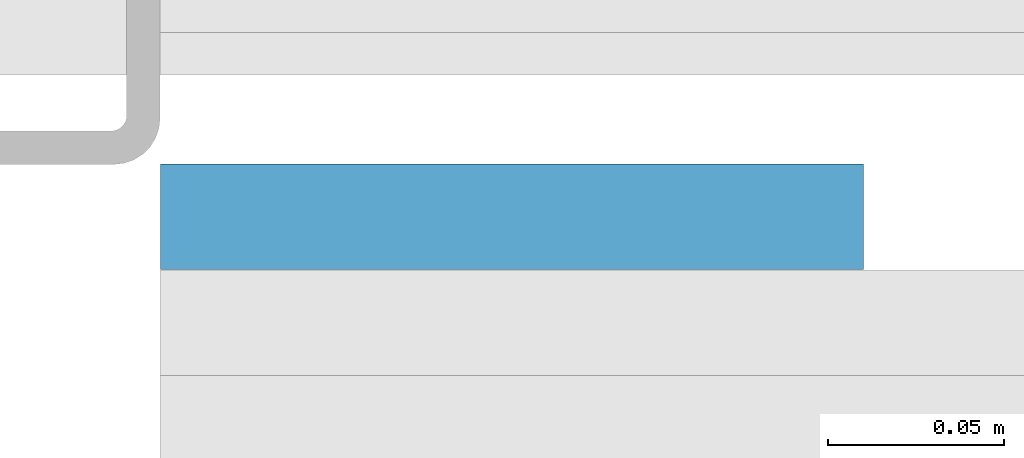
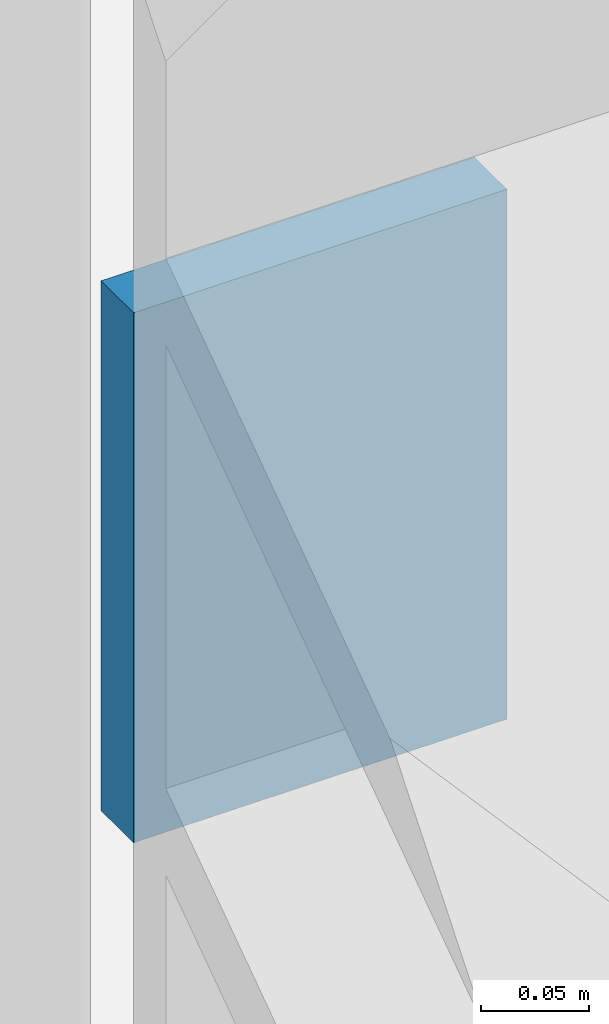
# One storey, part 19 of 28: 1 discrete accessory.
"""IFC4 building model written with IfcOpenShell, lengths in metres."""

from ifc_helpers import new_model, si_unit, direction, frame, origin, origin_2d, place, context, subcontext, project, spatial, rectangle, extrude, material, type_object, element, save


model = new_model("IFC4")

# Units and contexts
model_context = context("Model", 3, precision=1e-05, world=origin(), true_north=direction((0.0, 1.0)))
body_context = subcontext(model_context, "Body", "Model", "MODEL_VIEW")
ifc_project = project(units=[si_unit("LENGTHUNIT", "METRE"), si_unit("AREAUNIT", "SQUARE_METRE"), si_unit("VOLUMEUNIT", "CUBIC_METRE"), si_unit("PLANEANGLEUNIT", "RADIAN"), si_unit("MASSUNIT", "GRAM", prefix="KILO")], contexts=[model_context])

# Site, building, storey
site_placement = place(None, origin())
site = spatial("IfcSite", under=ifc_project, at=site_placement, CompositionType="ELEMENT")
building_placement = place(site_placement, origin())
building = spatial("IfcBuilding", under=site, at=building_placement, Name="Madar Terraces", CompositionType="ELEMENT")
storey_placement = place(building_placement, frame((0.0, 0.0, 305.89990234375)))
storey = spatial("IfcBuildingStorey", under=building, at=storey_placement, Name="L79", CompositionType="ELEMENT", Elevation=305.89990234375)

# Discrete accessory
ifc_material = material(Name="Steel, galvanised", Category="steel")
discrete_accessory_type = type_object("IfcDiscreteAccessoryType", Name="Louvre bank bracket", PredefinedType="BRACKET", material=ifc_material)
discrete_accessory_placement = place(storey_placement, frame((24.441650390625, 1.05810546875, 1.44921875), z_axis=(0.0, 0.0, 1.0), x_axis=(1.0, 0.0, 0.0)))
element("IfcDiscreteAccessory", 1, at=discrete_accessory_placement, inside=storey, type_object=discrete_accessory_type, Name="Louvre bank bracket", PredefinedType="BRACKET", context=body_context, shape_type="SweptSolid", body=[
    extrude(rectangle(XDim=0.199951171875, YDim=0.030029296875, at=origin_2d()), origin(), (0.0, 0.0, 1.0), 0.300048828125),
])

save(model, "model.ifc")
